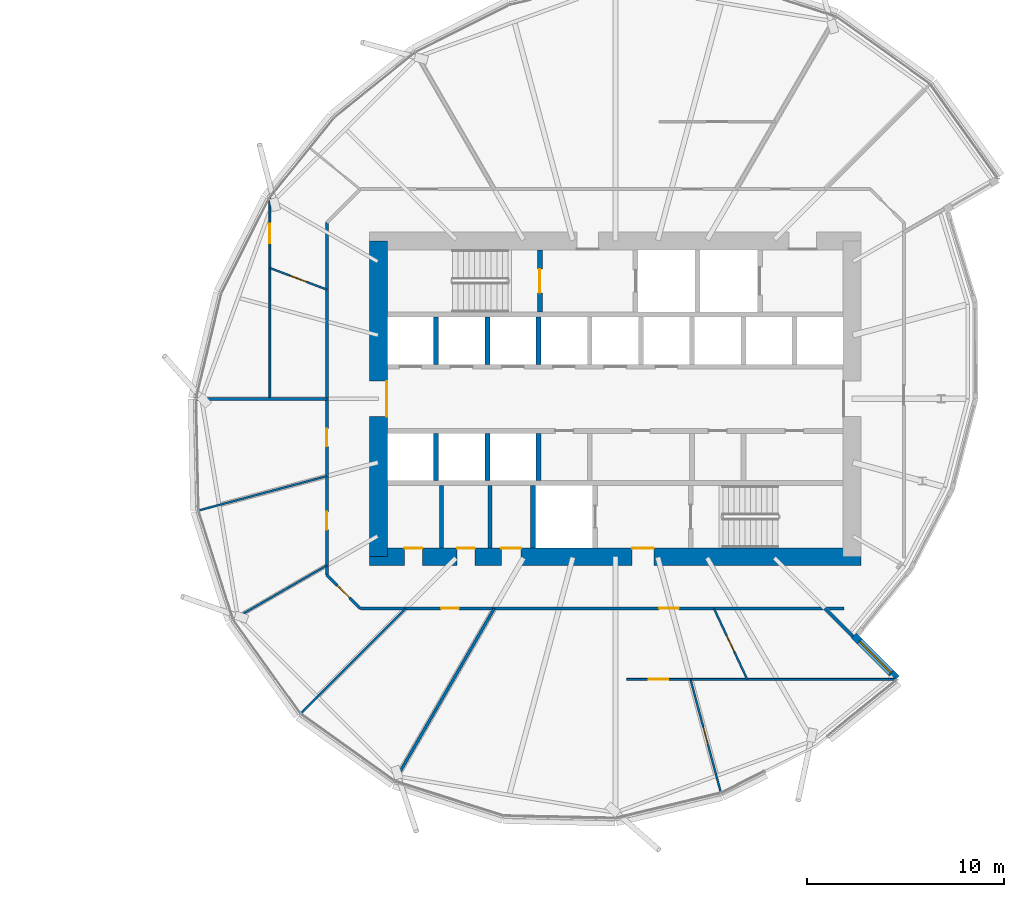
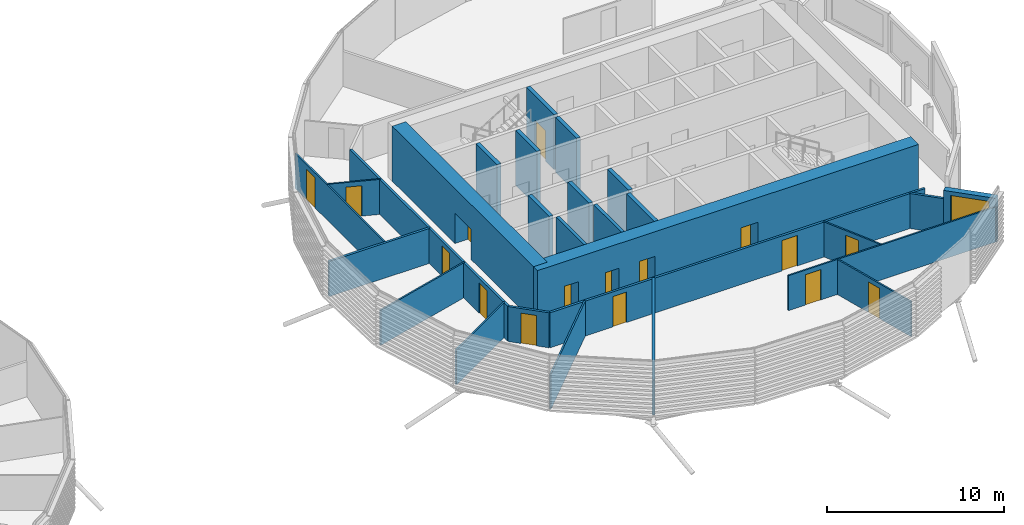
# One storey, part 23 of 38: 28 walls, 16 doors, 1 window, 17 openings.
"""IFC4 building model written with IfcOpenShell, lengths in metres."""

from ifc_helpers import new_model, si_unit, direction, frame, frame_2d, origin, place, context, subcontext, project, spatial, rectangle, extrude, material, layer, layer_set, type_object, element, fill, save


model = new_model("IFC4")

# Units and contexts
model_context = context("Model", 3, precision=1e-05, world=origin(), true_north=direction((0.0, 1.0)))
body_context = subcontext(model_context, "Body", "Model", "MODEL_VIEW")
ifc_project = project(units=[si_unit("LENGTHUNIT", "METRE"), si_unit("AREAUNIT", "SQUARE_METRE"), si_unit("VOLUMEUNIT", "CUBIC_METRE"), si_unit("PLANEANGLEUNIT", "RADIAN"), si_unit("MASSUNIT", "GRAM", prefix="KILO")], contexts=[model_context])

# Site, building, storey
site_placement = place(None, origin())
site = spatial("IfcSite", under=ifc_project, at=site_placement, CompositionType="ELEMENT")
building_placement = place(site_placement, origin())
building = spatial("IfcBuilding", under=site, at=building_placement, Name="Rimbun Link Towers", CompositionType="ELEMENT")
storey_placement = place(building_placement, frame((0.0, 0.0, 49.0)))
storey = spatial("IfcBuildingStorey", under=building, at=storey_placement, Name="L11", CompositionType="ELEMENT", Elevation=49.0)

# Wall, opening, window
ifc_material_1 = material(Name="Dark enamelled glass spandrel on insulated aluminium backpan", Category="aluminium")
ifc_layer_1 = layer(ifc_material_1, 0.3701171875)
ifc_layer_set_1 = layer_set([ifc_layer_1], Name="CS dark enamelled spandrel wall 370")
wall_type_1 = type_object("IfcWallType", Name="CS dark enamelled spandrel wall 370", PredefinedType="STANDARD", material=ifc_layer_set_1)
wall_1_placement = place(storey_placement, frame((43.83544921875, -11.99365234375, 0.0), z_axis=(0.0, 0.0, 1.0), x_axis=(0.707106781187, -0.707106781187, 0.0)))
wall_1 = element("IfcWall", 1, at=wall_1_placement, inside=storey, type_object=wall_type_1, Name="Crease spandrel wall", PredefinedType="STANDARD", context=body_context, shape_type="SweptSolid", body=[
    extrude(rectangle(XDim=3.080078125, YDim=0.3701171875, at=frame_2d((1.5400390625, 0.0))), origin(), (0.0, 0.0, 1.0), 3.02734375),
])
opening_1_placement = place(wall_1_placement, frame((0.4150390625, 0.0, 0.300048828125)))
opening_1 = element("IfcOpeningElement", 2, at=opening_1_placement, cuts=wall_1, Name="Opening WR22H245", PredefinedType="OPENING", context=body_context, shape_type="SweptSolid", body=[
    extrude(rectangle(XDim=2.25, YDim=2.449951171875, at=frame_2d((1.125, 1.22509765625))), frame((0.0, 0.195068359375, 0.0), z_axis=(0.0, -1.0, 0.0), x_axis=(1.0, 0.0, 0.0)), (0.0, 0.0, 1.0), 0.39013671875),
])
ifc_material_2 = material(Name="Aluminium framed fixed window, dark tinted low-e glass", Category="aluminium")
window_type = type_object("IfcWindowType", Name="WR ribbon window 2250X2450", PartitioningType="SINGLE_PANEL", PredefinedType="WINDOW", material=ifc_material_2)
window_placement = place(opening_1_placement, origin())
window = element("IfcWindow", 3, at=window_placement, inside=storey, type_object=window_type, Name="Crease ribbon window", OverallHeight=2.449951171875, OverallWidth=2.25, PartitioningType="SINGLE_PANEL", PredefinedType="WINDOW", context=body_context, shape_type="SweptSolid", body=[
    extrude(rectangle(XDim=2.25, YDim=2.449951171875, at=frame_2d((1.125, 1.22509765625))), frame((0.0, 0.030029296875, 0.0), z_axis=(0.0, -1.0, 0.0), x_axis=(1.0, 0.0, 0.0)), (0.0, 0.0, 1.0), 0.06005859375),
])
fill(opening_1, window)

# Walls
ifc_material_3 = material(Name="Masonry blockwork", Category="masonry")
ifc_layer_2 = layer(ifc_material_3, 0.199951171875)
ifc_layer_set_2 = layer_set([ifc_layer_2], Name="Core partition 200")
wall_type_2 = type_object("IfcWallType", Name="Core partition 200", PredefinedType="PARTITIONING", material=ifc_layer_set_2)
for number, where, z_axis, x_axis, name in (
    (4, (22.949951171875, -4.39990234375, 0.0), (0.0, 0.0, 1.0), (0.0, -1.0, 0.0), "L11 T2 core wall C1"),
    (5, (25.39990234375, -4.39990234375, 0.0), (0.0, 0.0, 1.0), (0.0, -1.0, 0.0), "L11 T2 core wall C2"),
):
    element("IfcWall", number, at=place(storey_placement, frame(where, z_axis=z_axis, x_axis=x_axis)), inside=storey, type_object=wall_type_2, Name=name, PredefinedType="PARTITIONING", context=body_context, shape_type="SweptSolid", body=[
        extrude(rectangle(XDim=3.150146484375, YDim=0.199951171875, at=frame_2d((1.5751953125, 0.0))), origin(), (0.0, 0.0, 1.0), 3.800048828125),
    ])

# Wall, openings, doors
ifc_material_4 = material(Name="Concrete C60/75", Category="concrete")
ifc_layer_3 = layer(ifc_material_4, 0.89990234375)
ifc_layer_set_3 = layer_set([ifc_layer_3], Name="Core shear wall 900")
wall_type_3 = type_object("IfcWallType", Name="Core shear wall 900", PredefinedType="SHEAR", material=ifc_layer_set_3)
wall_2_placement = place(storey_placement, frame((19.300048828125, -8.0, 0.0), z_axis=(0.0, 0.0, 1.0), x_axis=(1.0, 0.0, 0.0)))
wall_2 = element("IfcWall", 6, at=wall_2_placement, inside=storey, type_object=wall_type_3, Name="L11 T2 core wall S", PredefinedType="SHEAR", context=body_context, shape_type="SweptSolid", body=[
    extrude(rectangle(XDim=24.89990234375, YDim=0.89990234375, at=frame_2d((12.449951171875, 0.0))), origin(), (0.0, 0.0, 1.0), 3.800048828125),
])
opening_2_placement = place(wall_2_placement, frame((13.300048828125, 0.0, 0.0)))
opening_2 = element("IfcOpeningElement", 7, at=opening_2_placement, cuts=wall_2, Name="Opening C2DCF01S", PredefinedType="OPENING", context=body_context, shape_type="SweptSolid", body=[
    extrude(rectangle(XDim=1.10009765625, YDim=2.10009765625, at=frame_2d((0.550048828125, 1.050048828125))), frame((0.0, 0.4599609375, 0.0), z_axis=(0.0, -1.0, 0.0), x_axis=(1.0, 0.0, 0.0)), (0.0, 0.0, 1.0), 0.919921875),
])
opening_3_placement = place(wall_2_placement, frame((1.77490234375, 0.0, 0.0)))
opening_3 = element("IfcOpeningElement", 8, at=opening_3_placement, cuts=wall_2, Name="Opening C2DWC02S", PredefinedType="OPENING", context=body_context, shape_type="SweptSolid", body=[
    extrude(rectangle(XDim=0.89990234375, YDim=2.10009765625, at=frame_2d((0.449951171875, 1.050048828125))), frame((0.0, 0.4599609375, 0.0), z_axis=(0.0, -1.0, 0.0), x_axis=(1.0, 0.0, 0.0)), (0.0, 0.0, 1.0), 0.919921875),
])
opening_4_placement = place(wall_2_placement, frame((4.425048828125, 0.0, 0.0)))
opening_4 = element("IfcOpeningElement", 9, at=opening_4_placement, cuts=wall_2, Name="Opening C2DWC03S", PredefinedType="OPENING", context=body_context, shape_type="SweptSolid", body=[
    extrude(rectangle(XDim=0.89990234375, YDim=2.10009765625, at=frame_2d((0.449951171875, 1.050048828125))), frame((0.0, 0.4599609375, 0.0), z_axis=(0.0, -1.0, 0.0), x_axis=(1.0, 0.0, 0.0)), (0.0, 0.0, 1.0), 0.919921875),
])
opening_5_placement = place(wall_2_placement, frame((6.675048828125, 0.0, 0.0)))
opening_5 = element("IfcOpeningElement", 10, at=opening_5_placement, cuts=wall_2, Name="Opening C2DAW04S", PredefinedType="OPENING", context=body_context, shape_type="SweptSolid", body=[
    extrude(rectangle(XDim=1.0, YDim=2.10009765625, at=frame_2d((0.5, 1.050048828125))), frame((0.0, 0.4599609375, 0.0), z_axis=(0.0, -1.0, 0.0), x_axis=(1.0, 0.0, 0.0)), (0.0, 0.0, 1.0), 0.919921875),
])
ifc_material_5 = material(Name="Timber", Category="wood")
door_type_1 = type_object("IfcDoorType", Name="Accessible WC door", OperationType="SINGLE_SWING_LEFT", PredefinedType="DOOR", material=ifc_material_5)
door_1_placement = place(opening_5_placement, origin())
door_1 = element("IfcDoor", 11, at=door_1_placement, inside=storey, type_object=door_type_1, Name="L11 T2 accessible wc door", OperationType="SINGLE_SWING_LEFT", OverallHeight=2.10009765625, OverallWidth=1.0, PredefinedType="DOOR", context=body_context, shape_type="SweptSolid", body=[
    extrude(rectangle(XDim=1.0, YDim=2.10009765625, at=frame_2d((0.5, 1.050048828125))), frame((0.0, 0.4501953125, 0.0), z_axis=(0.0, -1.0, 0.0), x_axis=(1.0, 0.0, 0.0)), (0.0, 0.0, 1.0), 0.050048828125),
])
fill(opening_5, door_1)
ifc_material_6 = material(Name="Steel fire door set", Category="steel")
door_type_2 = type_object("IfcDoorType", Name="Core fire door single", OperationType="SINGLE_SWING_LEFT", PredefinedType="DOOR", material=ifc_material_6)
door_2_placement = place(opening_2_placement, origin())
door_2 = element("IfcDoor", 12, at=door_2_placement, inside=storey, type_object=door_type_2, Name="L11 T2 firefighting lobby s door", OperationType="SINGLE_SWING_RIGHT", OverallHeight=2.10009765625, OverallWidth=1.10009765625, PredefinedType="DOOR", context=body_context, shape_type="SweptSolid", body=[
    extrude(rectangle(XDim=1.10009765625, YDim=2.10009765625, at=frame_2d((0.550048828125, 1.050048828125))), frame((0.0, 0.4501953125, 0.0), z_axis=(0.0, -1.0, 0.0), x_axis=(1.0, 0.0, 0.0)), (0.0, 0.0, 1.0), 0.050048828125),
])
fill(opening_2, door_2)
ifc_material_7 = material(Name="Timber", Category="wood")
door_type_3 = type_object("IfcDoorType", Name="WC door", OperationType="SINGLE_SWING_LEFT", PredefinedType="DOOR", material=ifc_material_7)
door_3_placement = place(opening_3_placement, origin())
door_3 = element("IfcDoor", 13, at=door_3_placement, inside=storey, type_object=door_type_3, Name="L11 T2 male wc door", OperationType="SINGLE_SWING_RIGHT", OverallHeight=2.10009765625, OverallWidth=0.89990234375, PredefinedType="DOOR", context=body_context, shape_type="SweptSolid", body=[
    extrude(rectangle(XDim=0.89990234375, YDim=2.10009765625, at=frame_2d((0.449951171875, 1.050048828125))), frame((0.0, 0.4501953125, 0.0), z_axis=(0.0, -1.0, 0.0), x_axis=(1.0, 0.0, 0.0)), (0.0, 0.0, 1.0), 0.050048828125),
])
fill(opening_3, door_3)
door_4_placement = place(opening_4_placement, origin())
door_4 = element("IfcDoor", 14, at=door_4_placement, inside=storey, type_object=door_type_3, Name="L11 T2 female wc door", OperationType="SINGLE_SWING_RIGHT", OverallHeight=2.10009765625, OverallWidth=0.89990234375, PredefinedType="DOOR", context=body_context, shape_type="SweptSolid", body=[
    extrude(rectangle(XDim=0.89990234375, YDim=2.10009765625, at=frame_2d((0.449951171875, 1.050048828125))), frame((0.0, 0.4501953125, 0.0), z_axis=(0.0, -1.0, 0.0), x_axis=(1.0, 0.0, 0.0)), (0.0, 0.0, 1.0), 0.050048828125),
])
fill(opening_4, door_4)

# Wall, opening, door
wall_3_placement = place(storey_placement, frame((19.75, -8.0, 0.0), z_axis=(0.0, 0.0, 1.0), x_axis=(0.0, 1.0, 0.0)))
wall_3 = element("IfcWall", 15, at=wall_3_placement, inside=storey, type_object=wall_type_3, Name="L11 T2 core wall W", PredefinedType="SHEAR", context=body_context, shape_type="SweptSolid", body=[
    extrude(rectangle(XDim=16.0, YDim=0.89990234375, at=frame_2d((8.0, 0.0))), origin(), (0.0, 0.0, 1.0), 3.800048828125),
])
opening_6_placement = place(wall_3_placement, frame((7.10009765625, 0.0, 0.0)))
opening_6 = element("IfcOpeningElement", 16, at=opening_6_placement, cuts=wall_3, Name="Opening C2DCL01W", PredefinedType="OPENING", context=body_context, shape_type="SweptSolid", body=[
    extrude(rectangle(XDim=1.800048828125, YDim=2.10009765625, at=frame_2d((0.89990234375, 1.050048828125))), frame((0.0, 0.4599609375, 0.0), z_axis=(0.0, -1.0, 0.0), x_axis=(1.0, 0.0, 0.0)), (0.0, 0.0, 1.0), 0.919921875),
])
ifc_material_8 = material(Name="Steel fire door set", Category="steel")
door_type_4 = type_object("IfcDoorType", Name="Core lobby door double", OperationType="DOUBLE_DOOR_SINGLE_SWING", PredefinedType="DOOR", material=ifc_material_8)
door_5_placement = place(opening_6_placement, origin())
door_5 = element("IfcDoor", 17, at=door_5_placement, inside=storey, type_object=door_type_4, Name="L11 T2 lift lobby door", OperationType="DOUBLE_DOOR_SINGLE_SWING", OverallHeight=2.10009765625, OverallWidth=1.800048828125, PredefinedType="DOOR", context=body_context, shape_type="SweptSolid", body=[
    extrude(rectangle(XDim=1.800048828125, YDim=2.10009765625, at=frame_2d((0.89990234375, 1.050048828125))), frame((0.0, -0.39990234375, 0.0), z_axis=(0.0, -1.0, 0.0), x_axis=(1.0, 0.0, 0.0)), (0.0, 0.0, 1.0), 0.050048828125),
])
fill(opening_6, door_5)

# Wall, openings, doors
ifc_material_9 = material(Name="Plasterboard on steel stud, mineral wool", Category="steel")
ifc_layer_4 = layer(ifc_material_9, 0.14990234375)
ifc_layer_set_4 = layer_set([ifc_layer_4], Name="Corridor wall EI 30 150 mm")
wall_type_4 = type_object("IfcWallType", Name="Corridor wall EI 30 150 mm", PredefinedType="PARTITIONING", material=ifc_layer_set_4)
wall_4_placement = place(storey_placement, frame((43.330322265625, -10.625, 0.0), z_axis=(0.0, 0.0, 1.0), x_axis=(-1.0, 0.0, 0.0)))
wall_4 = element("IfcWall", 18, at=wall_4_placement, inside=storey, type_object=wall_type_4, Name="Corridor wall EI 30 150 mm", PredefinedType="PARTITIONING", context=body_context, shape_type="SweptSolid", body=[
    extrude(rectangle(XDim=24.507080078125, YDim=0.14990234375, at=frame_2d((12.25341796875, 0.0))), origin(), (0.0, 0.0, 1.0), 2.419921875),
])
opening_7_placement = place(wall_4_placement, frame((19.510009765625, 0.0, 0.0)))
opening_7 = element("IfcOpeningElement", 19, at=opening_7_placement, cuts=wall_4, Name="Opening D02", PredefinedType="OPENING", context=body_context, shape_type="SweptSolid", body=[
    extrude(rectangle(XDim=0.89990234375, YDim=2.10009765625, at=frame_2d((0.449951171875, 1.050048828125))), frame((0.0, 0.0849609375, 0.0), z_axis=(0.0, -1.0, 0.0), x_axis=(1.0, 0.0, 0.0)), (0.0, 0.0, 1.0), 0.169921875),
])
opening_8_placement = place(wall_4_placement, frame((8.35595703125, 0.0, 0.0)))
opening_8 = element("IfcOpeningElement", 20, at=opening_8_placement, cuts=wall_4, Name="Opening D01", PredefinedType="OPENING", context=body_context, shape_type="SweptSolid", body=[
    extrude(rectangle(XDim=1.0, YDim=2.10009765625, at=frame_2d((0.5, 1.050048828125))), frame((0.0, 0.0849609375, 0.0), z_axis=(0.0, -1.0, 0.0), x_axis=(1.0, 0.0, 0.0)), (0.0, 0.0, 1.0), 0.169921875),
])
ifc_material_10 = material(Name="Fire-resisting timber door leaf", Category="wood")
door_type_5 = type_object("IfcDoorType", Name="Fire door FD30S 1000", OperationType="NOTDEFINED", PredefinedType="DOOR", material=ifc_material_10)
door_6_placement = place(opening_8_placement, origin())
door_6 = element("IfcDoor", 21, at=door_6_placement, inside=storey, type_object=door_type_5, Name="Fire door FD30S 1000 to Reception", OperationType="SINGLE_SWING_LEFT", OverallHeight=2.10009765625, OverallWidth=1.0, PredefinedType="DOOR", context=body_context, shape_type="SweptSolid", body=[
    extrude(rectangle(XDim=1.0, YDim=2.10009765625, at=frame_2d((0.5, 1.050048828125))), frame((0.0, 0.02490234375, 0.0), z_axis=(0.0, -1.0, 0.0), x_axis=(1.0, 0.0, 0.0)), (0.0, 0.0, 1.0), 0.050048828125),
])
fill(opening_8, door_6)
ifc_material_11 = material(Name="Fire-resisting timber door leaf", Category="wood")
door_type_6 = type_object("IfcDoorType", Name="Fire door FD30S 900", OperationType="NOTDEFINED", PredefinedType="DOOR", material=ifc_material_11)
door_7_placement = place(opening_7_placement, origin())
door_7 = element("IfcDoor", 22, at=door_7_placement, inside=storey, type_object=door_type_6, Name="Fire door FD30S 900 to Meeting room", OperationType="SINGLE_SWING_RIGHT", OverallHeight=2.10009765625, OverallWidth=0.89990234375, PredefinedType="DOOR", context=body_context, shape_type="SweptSolid", body=[
    extrude(rectangle(XDim=0.89990234375, YDim=2.10009765625, at=frame_2d((0.449951171875, 1.050048828125))), frame((0.0, 0.02490234375, 0.0), z_axis=(0.0, -1.0, 0.0), x_axis=(1.0, 0.0, 0.0)), (0.0, 0.0, 1.0), 0.050048828125),
])
fill(opening_7, door_7)

# Wall, opening, door
wall_5_placement = place(storey_placement, frame((18.8232421875, -10.625, 0.0), z_axis=(0.0, 0.0, 1.0), x_axis=(-0.707106781187, 0.707106781187, 0.0)))
wall_5 = element("IfcWall", 23, at=wall_5_placement, inside=storey, type_object=wall_type_4, Name="Corridor wall EI 30 150 mm", PredefinedType="PARTITIONING", context=body_context, shape_type="SweptSolid", body=[
    extrude(rectangle(XDim=2.401611328125, YDim=0.14990234375, at=frame_2d((1.20068359375, 0.0))), origin(), (0.0, 0.0, 1.0), 2.419921875),
])
opening_9_placement = place(wall_5_placement, frame((0.7509765625, 0.0, 0.0)))
opening_9 = element("IfcOpeningElement", 24, at=opening_9_placement, cuts=wall_5, Name="Opening D02", PredefinedType="OPENING", context=body_context, shape_type="SweptSolid", body=[
    extrude(rectangle(XDim=0.89990234375, YDim=2.10009765625, at=frame_2d((0.449951171875, 1.050048828125))), frame((0.0, 0.0849609375, 0.0), z_axis=(0.0, -1.0, 0.0), x_axis=(1.0, 0.0, 0.0)), (0.0, 0.0, 1.0), 0.169921875),
])
door_8_placement = place(opening_9_placement, origin())
door_8 = element("IfcDoor", 25, at=door_8_placement, inside=storey, type_object=door_type_6, Name="Fire door FD30S 900 to Cellular office", OperationType="SINGLE_SWING_LEFT", OverallHeight=2.10009765625, OverallWidth=0.89990234375, PredefinedType="DOOR", context=body_context, shape_type="SweptSolid", body=[
    extrude(rectangle(XDim=0.89990234375, YDim=2.10009765625, at=frame_2d((0.449951171875, 1.050048828125))), frame((0.0, 0.02490234375, 0.0), z_axis=(0.0, -1.0, 0.0), x_axis=(1.0, 0.0, 0.0)), (0.0, 0.0, 1.0), 0.050048828125),
])
fill(opening_9, door_8)

# Wall, openings, doors
wall_6_placement = place(storey_placement, frame((17.125, -8.9267578125, 0.0), z_axis=(0.0, 0.0, 1.0), x_axis=(0.0, 1.0, 0.0)))
wall_6 = element("IfcWall", 26, at=wall_6_placement, inside=storey, type_object=wall_type_4, Name="Corridor wall EI 30 150 mm", PredefinedType="PARTITIONING", context=body_context, shape_type="SweptSolid", body=[
    extrude(rectangle(XDim=17.853515625, YDim=0.14990234375, at=frame_2d((8.9267578125, 0.0))), origin(), (0.0, 0.0, 1.0), 2.419921875),
])
opening_10_placement = place(wall_6_placement, frame((6.517333984375, 0.0, 0.0)))
opening_10 = element("IfcOpeningElement", 27, at=opening_10_placement, cuts=wall_6, Name="Opening D02", PredefinedType="OPENING", context=body_context, shape_type="SweptSolid", body=[
    extrude(rectangle(XDim=0.89990234375, YDim=2.10009765625, at=frame_2d((0.449951171875, 1.050048828125))), frame((0.0, 0.0849609375, 0.0), z_axis=(0.0, -1.0, 0.0), x_axis=(1.0, 0.0, 0.0)), (0.0, 0.0, 1.0), 0.169921875),
])
opening_11_placement = place(wall_6_placement, frame((2.29541015625, 0.0, 0.0)))
opening_11 = element("IfcOpeningElement", 28, at=opening_11_placement, cuts=wall_6, Name="Opening D02", PredefinedType="OPENING", context=body_context, shape_type="SweptSolid", body=[
    extrude(rectangle(XDim=0.89990234375, YDim=2.10009765625, at=frame_2d((0.449951171875, 1.050048828125))), frame((0.0, 0.0849609375, 0.0), z_axis=(0.0, -1.0, 0.0), x_axis=(1.0, 0.0, 0.0)), (0.0, 0.0, 1.0), 0.169921875),
])
door_9_placement = place(opening_10_placement, origin())
door_9 = element("IfcDoor", 29, at=door_9_placement, inside=storey, type_object=door_type_6, Name="Fire door FD30S 900 to Cellular office", OperationType="SINGLE_SWING_LEFT", OverallHeight=2.10009765625, OverallWidth=0.89990234375, PredefinedType="DOOR", context=body_context, shape_type="SweptSolid", body=[
    extrude(rectangle(XDim=0.89990234375, YDim=2.10009765625, at=frame_2d((0.449951171875, 1.050048828125))), frame((0.0, 0.02490234375, 0.0), z_axis=(0.0, -1.0, 0.0), x_axis=(1.0, 0.0, 0.0)), (0.0, 0.0, 1.0), 0.050048828125),
])
fill(opening_10, door_9)
door_10_placement = place(opening_11_placement, origin())
door_10 = element("IfcDoor", 30, at=door_10_placement, inside=storey, type_object=door_type_6, Name="Fire door FD30S 900 to Cellular office", OperationType="SINGLE_SWING_RIGHT", OverallHeight=2.10009765625, OverallWidth=0.89990234375, PredefinedType="DOOR", context=body_context, shape_type="SweptSolid", body=[
    extrude(rectangle(XDim=0.89990234375, YDim=2.10009765625, at=frame_2d((0.449951171875, 1.050048828125))), frame((0.0, 0.02490234375, 0.0), z_axis=(0.0, -1.0, 0.0), x_axis=(1.0, 0.0, 0.0)), (0.0, 0.0, 1.0), 0.050048828125),
])
fill(opening_11, door_10)

# Wall, opening, door
ifc_material_12 = material(Name="Plasterboard on steel stud", Category="steel")
ifc_layer_5 = layer(ifc_material_12, 0.10009765625)
ifc_layer_set_5 = layer_set([ifc_layer_5], Name="Plasterboard partition 100 mm")
wall_type_5 = type_object("IfcWallType", Name="Plasterboard partition 100 mm", PredefinedType="PARTITIONING", material=ifc_layer_set_5)
wall_7_placement = place(storey_placement, frame((17.125, 5.537841796875, 0.0), z_axis=(0.0, 0.0, 1.0), x_axis=(-0.935190478961, 0.354145122882, 0.0)))
wall_7 = element("IfcWall", 31, at=wall_7_placement, inside=storey, type_object=wall_type_5, Name="Plasterboard partition 100 mm", PredefinedType="PARTITIONING", context=body_context, shape_type="SweptSolid", body=[
    extrude(rectangle(XDim=3.079345703125, YDim=0.10009765625, at=frame_2d((1.53955078125, 0.0))), origin(), (0.0, 0.0, 1.0), 2.419921875),
])
opening_12_placement = place(wall_7_placement, frame((1.08984375, 0.0, 0.0)))
opening_12 = element("IfcOpeningElement", 32, at=opening_12_placement, cuts=wall_7, Name="Opening D04", PredefinedType="OPENING", context=body_context, shape_type="SweptSolid", body=[
    extrude(rectangle(XDim=0.89990234375, YDim=2.10009765625, at=frame_2d((0.449951171875, 1.050048828125))), frame((0.0, 0.06005859375, 0.0), z_axis=(0.0, -1.0, 0.0), x_axis=(1.0, 0.0, 0.0)), (0.0, 0.0, 1.0), 0.1201171875),
])
ifc_material_13 = material(Name="Timber door leaf", Category="wood")
door_type_7 = type_object("IfcDoorType", Name="Flush door 900", OperationType="NOTDEFINED", PredefinedType="DOOR", material=ifc_material_13)
door_11_placement = place(opening_12_placement, origin())
door_11 = element("IfcDoor", 33, at=door_11_placement, inside=storey, type_object=door_type_7, Name="Flush door 900 to Strong room", OperationType="SINGLE_SWING_RIGHT", OverallHeight=2.10009765625, OverallWidth=0.89990234375, PredefinedType="DOOR", context=body_context, shape_type="SweptSolid", body=[
    extrude(rectangle(XDim=0.89990234375, YDim=2.10009765625, at=frame_2d((0.449951171875, 1.050048828125))), frame((0.0, 0.02490234375, 0.0), z_axis=(0.0, -1.0, 0.0), x_axis=(1.0, 0.0, 0.0)), (0.0, 0.0, 1.0), 0.050048828125),
])
fill(opening_12, door_11)

wall_8_placement = place(storey_placement, frame((14.2451171875, 0.0, 0.0), z_axis=(0.0, 0.0, 1.0), x_axis=(0.0, 1.0, 0.0)))
wall_8 = element("IfcWall", 34, at=wall_8_placement, inside=storey, type_object=wall_type_5, Name="Plasterboard partition 100 mm", PredefinedType="PARTITIONING", context=body_context, shape_type="SweptSolid", body=[
    extrude(rectangle(XDim=10.162109375, YDim=0.10009765625, at=frame_2d((5.0810546875, 0.0))), origin(), (0.0, 0.0, 1.0), 2.419921875),
])
opening_13_placement = place(wall_8_placement, frame((7.879150390625, 0.0, 0.0)))
opening_13 = element("IfcOpeningElement", 35, at=opening_13_placement, cuts=wall_8, Name="Opening D03", PredefinedType="OPENING", context=body_context, shape_type="SweptSolid", body=[
    extrude(rectangle(XDim=1.0, YDim=2.10009765625, at=frame_2d((0.5, 1.050048828125))), frame((0.0, 0.06005859375, 0.0), z_axis=(0.0, -1.0, 0.0), x_axis=(1.0, 0.0, 0.0)), (0.0, 0.0, 1.0), 0.1201171875),
])
ifc_material_14 = material(Name="Timber door leaf", Category="wood")
door_type_8 = type_object("IfcDoorType", Name="Flush door 1000", OperationType="NOTDEFINED", PredefinedType="DOOR", material=ifc_material_14)
door_12_placement = place(opening_13_placement, origin())
door_12 = element("IfcDoor", 36, at=door_12_placement, inside=storey, type_object=door_type_8, Name="Flush door 1000 to Banking hall", OperationType="SINGLE_SWING_LEFT", OverallHeight=2.10009765625, OverallWidth=1.0, PredefinedType="DOOR", context=body_context, shape_type="SweptSolid", body=[
    extrude(rectangle(XDim=1.0, YDim=2.10009765625, at=frame_2d((0.5, 1.050048828125))), frame((0.0, 0.02490234375, 0.0), z_axis=(0.0, -1.0, 0.0), x_axis=(1.0, 0.0, 0.0)), (0.0, 0.0, 1.0), 0.050048828125),
])
fill(opening_13, door_12)

# Walls
wall_9_placement = place(storey_placement, frame((10.63720703125, -5.656982421875, 0.0), z_axis=(0.0, 0.0, 1.0), x_axis=(0.965930204712, 0.258802704055, 0.0)))
element("IfcWall", 37, at=wall_9_placement, inside=storey, type_object=wall_type_5, Name="Plasterboard partition 100 mm", PredefinedType="PARTITIONING", context=body_context, shape_type="SweptSolid", body=[
    extrude(rectangle(XDim=6.716552734375, YDim=0.10009765625, at=frame_2d((3.3583984375, 0.0))), origin(), (0.0, 0.0, 1.0), 2.419921875),
])
wall_10_placement = place(storey_placement, frame((12.392578125, -11.176025390625, 0.0), z_axis=(0.0, 0.0, 1.0), x_axis=(0.866032322181, 0.499988016794, 0.0)))
element("IfcWall", 38, at=wall_10_placement, inside=storey, type_object=wall_type_5, Name="Plasterboard partition 100 mm", PredefinedType="PARTITIONING", context=body_context, shape_type="SweptSolid", body=[
    extrude(rectangle(XDim=5.464599609375, YDim=0.10009765625, at=frame_2d((2.732421875, 0.0))), origin(), (0.0, 0.0, 1.0), 2.419921875),
])
wall_11_placement = place(storey_placement, frame((15.810546875, -15.939453125, 0.0), z_axis=(0.0, 0.0, 1.0), x_axis=(0.707106781187, 0.707106781187, 0.0)))
element("IfcWall", 39, at=wall_11_placement, inside=storey, type_object=wall_type_5, Name="Plasterboard partition 100 mm", PredefinedType="PARTITIONING", context=body_context, shape_type="SweptSolid", body=[
    extrude(rectangle(XDim=7.515869140625, YDim=0.10009765625, at=frame_2d((3.7578125, 0.0))), origin(), (0.0, 0.0, 1.0), 2.419921875),
])

# Wall, opening, door
wall_12_placement = place(storey_placement, frame((36.746826171875, -10.625, 0.0), z_axis=(0.0, 0.0, 1.0), x_axis=(0.425581283006, -0.904920201761, 0.0)))
wall_12 = element("IfcWall", 40, at=wall_12_placement, inside=storey, type_object=wall_type_5, Name="Plasterboard partition 100 mm", PredefinedType="PARTITIONING", context=body_context, shape_type="SweptSolid", body=[
    extrude(rectangle(XDim=3.978271484375, YDim=0.10009765625, at=frame_2d((1.9892578125, 0.0))), origin(), (0.0, 0.0, 1.0), 2.419921875),
])
opening_14_placement = place(wall_12_placement, frame((1.5390625, 0.0, 0.0)))
opening_14 = element("IfcOpeningElement", 41, at=opening_14_placement, cuts=wall_12, Name="Opening D04", PredefinedType="OPENING", context=body_context, shape_type="SweptSolid", body=[
    extrude(rectangle(XDim=0.89990234375, YDim=2.10009765625, at=frame_2d((0.449951171875, 1.050048828125))), frame((0.0, 0.06005859375, 0.0), z_axis=(0.0, -1.0, 0.0), x_axis=(1.0, 0.0, 0.0)), (0.0, 0.0, 1.0), 0.1201171875),
])
door_13_placement = place(opening_14_placement, origin())
door_13 = element("IfcDoor", 42, at=door_13_placement, inside=storey, type_object=door_type_7, Name="Flush door 900 to Meeting room", OperationType="SINGLE_SWING_LEFT", OverallHeight=2.10009765625, OverallWidth=0.89990234375, PredefinedType="DOOR", context=body_context, shape_type="SweptSolid", body=[
    extrude(rectangle(XDim=0.89990234375, YDim=2.10009765625, at=frame_2d((0.449951171875, 1.050048828125))), frame((0.0, 0.02490234375, 0.0), z_axis=(0.0, -1.0, 0.0), x_axis=(1.0, 0.0, 0.0)), (0.0, 0.0, 1.0), 0.050048828125),
])
fill(opening_14, door_13)

wall_13_placement = place(storey_placement, frame((35.5615234375, -14.22509765625, 0.0), z_axis=(0.0, 0.0, 1.0), x_axis=(-1.0, 0.0, 0.0)))
wall_13 = element("IfcWall", 43, at=wall_13_placement, inside=storey, type_object=wall_type_5, Name="Plasterboard partition 100 mm", PredefinedType="PARTITIONING", context=body_context, shape_type="SweptSolid", body=[
    extrude(rectangle(XDim=3.236083984375, YDim=0.10009765625, at=frame_2d((1.6181640625, 0.0))), origin(), (0.0, 0.0, 1.0), 2.419921875),
])
opening_15_placement = place(wall_13_placement, frame((1.117919921875, 0.0, 0.0)))
opening_15 = element("IfcOpeningElement", 44, at=opening_15_placement, cuts=wall_13, Name="Opening D03", PredefinedType="OPENING", context=body_context, shape_type="SweptSolid", body=[
    extrude(rectangle(XDim=1.0, YDim=2.10009765625, at=frame_2d((0.5, 1.050048828125))), frame((0.0, 0.06005859375, 0.0), z_axis=(0.0, -1.0, 0.0), x_axis=(1.0, 0.0, 0.0)), (0.0, 0.0, 1.0), 0.1201171875),
])
door_14_placement = place(opening_15_placement, origin())
door_14 = element("IfcDoor", 45, at=door_14_placement, inside=storey, type_object=door_type_8, Name="Flush door 1000 to Co-working space", OperationType="SINGLE_SWING_RIGHT", OverallHeight=2.10009765625, OverallWidth=1.0, PredefinedType="DOOR", context=body_context, shape_type="SweptSolid", body=[
    extrude(rectangle(XDim=1.0, YDim=2.10009765625, at=frame_2d((0.5, 1.050048828125))), frame((0.0, 0.02490234375, 0.0), z_axis=(0.0, -1.0, 0.0), x_axis=(1.0, 0.0, 0.0)), (0.0, 0.0, 1.0), 0.050048828125),
])
fill(opening_15, door_14)

# Wall
wall_14_placement = place(storey_placement, frame((35.5615234375, -14.22509765625, 0.0), z_axis=(0.0, 0.0, 1.0), x_axis=(1.0, 0.0, 0.0)))
element("IfcWall", 46, at=wall_14_placement, inside=storey, type_object=wall_type_5, Name="Plasterboard partition 100 mm", PredefinedType="PARTITIONING", context=body_context, shape_type="SweptSolid", body=[
    extrude(rectangle(XDim=10.41357421875, YDim=0.10009765625, at=frame_2d((5.206787109375, 0.0))), origin(), (0.0, 0.0, 1.0), 2.419921875),
])

# Wall, opening, door
wall_15_placement = place(storey_placement, frame((35.5615234375, -14.22509765625, 0.0), z_axis=(0.0, 0.0, 1.0), x_axis=(0.25883348972, -0.96592195575, 0.0)))
wall_15 = element("IfcWall", 47, at=wall_15_placement, inside=storey, type_object=wall_type_5, Name="Plasterboard partition 100 mm", PredefinedType="PARTITIONING", context=body_context, shape_type="SweptSolid", body=[
    extrude(rectangle(XDim=5.93017578125, YDim=0.10009765625, at=frame_2d((2.965087890625, 0.0))), origin(), (0.0, 0.0, 1.0), 2.419921875),
])
opening_16_placement = place(wall_15_placement, frame((2.51513671875, 0.0, 0.0)))
opening_16 = element("IfcOpeningElement", 48, at=opening_16_placement, cuts=wall_15, Name="Opening D04", PredefinedType="OPENING", context=body_context, shape_type="SweptSolid", body=[
    extrude(rectangle(XDim=0.89990234375, YDim=2.10009765625, at=frame_2d((0.449951171875, 1.050048828125))), frame((0.0, 0.06005859375, 0.0), z_axis=(0.0, -1.0, 0.0), x_axis=(1.0, 0.0, 0.0)), (0.0, 0.0, 1.0), 0.1201171875),
])
door_15_placement = place(opening_16_placement, origin())
door_15 = element("IfcDoor", 49, at=door_15_placement, inside=storey, type_object=door_type_7, Name="Flush door 900 to Serviced office", OperationType="SINGLE_SWING_LEFT", OverallHeight=2.10009765625, OverallWidth=0.89990234375, PredefinedType="DOOR", context=body_context, shape_type="SweptSolid", body=[
    extrude(rectangle(XDim=0.89990234375, YDim=2.10009765625, at=frame_2d((0.449951171875, 1.050048828125))), frame((0.0, 0.02490234375, 0.0), z_axis=(0.0, -1.0, 0.0), x_axis=(1.0, 0.0, 0.0)), (0.0, 0.0, 1.0), 0.050048828125),
])
fill(opening_16, door_15)

# Walls
ifc_material_15 = material(Name="Concrete C60/75", Category="concrete")
ifc_layer_6 = layer(ifc_material_15, 0.25)
ifc_layer_set_6 = layer_set([ifc_layer_6], Name="Shaft wall 250")
wall_type_6 = type_object("IfcWallType", Name="Shaft wall 250", PredefinedType="SHEAR", material=ifc_layer_set_6)
for number, where, z_axis, x_axis, name in (
    (50, (22.66943359375, 1.75, 0.0), (0.0, 0.0, 1.0), (0.0, 1.0, 0.0), "L11 T2 core wall DN0"),
    (51, (25.263916015625, 1.75, 0.0), (0.0, 0.0, 1.0), (0.0, 1.0, 0.0), "L11 T2 core wall DN1"),
    (52, (27.8583984375, 1.75, 0.0), (0.0, 0.0, 1.0), (0.0, 1.0, 0.0), "L11 T2 core wall DN2"),
    (53, (22.66943359375, -4.14990234375, 0.0), (0.0, 0.0, 1.0), (0.0, 1.0, 0.0), "L11 T2 core wall DS0"),
    (54, (25.263916015625, -4.14990234375, 0.0), (0.0, 0.0, 1.0), (0.0, 1.0, 0.0), "L11 T2 core wall DS1"),
    (55, (27.8583984375, -4.14990234375, 0.0), (0.0, 0.0, 1.0), (0.0, 1.0, 0.0), "L11 T2 core wall DS2"),
):
    element("IfcWall", number, at=place(storey_placement, frame(where, z_axis=z_axis, x_axis=x_axis)), inside=storey, type_object=wall_type_6, Name=name, PredefinedType="SHEAR", context=body_context, shape_type="SweptSolid", body=[
        extrude(rectangle(XDim=2.39990234375, YDim=0.25, at=frame_2d((1.199951171875, 0.0))), origin(), (0.0, 0.0, 1.0), 3.800048828125),
    ])

# Wall, opening, door
wall_16_placement = place(storey_placement, frame((27.925048828125, 4.39990234375, 0.0), z_axis=(0.0, 0.0, 1.0), x_axis=(0.0, 1.0, 0.0)))
wall_16 = element("IfcWall", 56, at=wall_16_placement, inside=storey, type_object=wall_type_6, Name="L11 T2 core wall A1", PredefinedType="SHEAR", context=body_context, shape_type="SweptSolid", body=[
    extrude(rectangle(XDim=3.150146484375, YDim=0.25, at=frame_2d((1.5751953125, 0.0))), origin(), (0.0, 0.0, 1.0), 3.800048828125),
])
opening_17_placement = place(wall_16_placement, frame((0.97509765625, 0.0, 0.0)))
opening_17 = element("IfcOpeningElement", 57, at=opening_17_placement, cuts=wall_16, Name="Opening C2DST01A1", PredefinedType="OPENING", context=body_context, shape_type="SweptSolid", body=[
    extrude(rectangle(XDim=1.199951171875, YDim=2.10009765625, at=frame_2d((0.60009765625, 1.050048828125))), frame((0.0, 0.135009765625, 0.0), z_axis=(0.0, -1.0, 0.0), x_axis=(1.0, 0.0, 0.0)), (0.0, 0.0, 1.0), 0.27001953125),
])
ifc_material_16 = material(Name="Steel fire door set", Category="steel")
door_type_9 = type_object("IfcDoorType", Name="Stair door", OperationType="SINGLE_SWING_LEFT", PredefinedType="DOOR", material=ifc_material_16)
door_16_placement = place(opening_17_placement, origin())
door_16 = element("IfcDoor", 58, at=door_16_placement, inside=storey, type_object=door_type_9, Name="L11 T2 stair a door", OperationType="SINGLE_SWING_RIGHT", OverallHeight=2.10009765625, OverallWidth=1.199951171875, PredefinedType="DOOR", context=body_context, shape_type="SweptSolid", body=[
    extrude(rectangle(XDim=1.199951171875, YDim=2.10009765625, at=frame_2d((0.60009765625, 1.050048828125))), frame((0.0, 0.02490234375, 0.0), z_axis=(0.0, -1.0, 0.0), x_axis=(1.0, 0.0, 0.0)), (0.0, 0.0, 1.0), 0.050048828125),
])
fill(opening_17, door_16)

# Walls
wall_17_placement = place(storey_placement, frame((27.574951171875, -4.39990234375, 0.0), z_axis=(0.0, 0.0, 1.0), x_axis=(0.0, -1.0, 0.0)))
element("IfcWall", 59, at=wall_17_placement, inside=storey, type_object=wall_type_6, Name="L11 T2 core wall B3", PredefinedType="SHEAR", context=body_context, shape_type="SweptSolid", body=[
    extrude(rectangle(XDim=3.150146484375, YDim=0.25, at=frame_2d((1.5751953125, 0.0))), origin(), (0.0, 0.0, 1.0), 3.800048828125),
])
ifc_material_17 = material(Name="Plasterboard on steel stud, mineral wool", Category="steel")
ifc_layer_7 = layer(ifc_material_17, 0.14990234375)
ifc_layer_set_7 = layer_set([ifc_layer_7], Name="Tenancy separation wall EI 60 150 mm")
wall_type_7 = type_object("IfcWallType", Name="Tenancy separation wall EI 60 150 mm", PredefinedType="PARTITIONING", material=ifc_layer_set_7)
wall_18_placement = place(storey_placement, frame((17.125, 0.0, 0.0), z_axis=(0.0, 0.0, 1.0), x_axis=(-1.0, 0.0, 0.0)))
element("IfcWall", 60, at=wall_18_placement, inside=storey, type_object=wall_type_7, Name="Tenancy separation wall EI 60 150 mm", PredefinedType="PARTITIONING", context=body_context, shape_type="SweptSolid", body=[
    extrude(rectangle(XDim=6.60693359375, YDim=0.14990234375, at=frame_2d((3.303466796875, 0.0))), origin(), (0.0, 0.0, 1.0), 2.419921875),
])
wall_19_placement = place(storey_placement, frame((25.615478515625, -10.625, 0.0), z_axis=(0.0, 0.0, 1.0), x_axis=(-0.499987934352, -0.866032369777, 0.0)))
element("IfcWall", 61, at=wall_19_placement, inside=storey, type_object=wall_type_7, Name="Tenancy separation wall EI 60 150 mm", PredefinedType="PARTITIONING", context=body_context, shape_type="SweptSolid", body=[
    extrude(rectangle(XDim=10.083251953125, YDim=0.14990234375, at=frame_2d((5.04150390625, 0.0))), origin(), (0.0, 0.0, 1.0), 2.419921875),
])
wall_20_placement = place(storey_placement, frame((42.375, -10.625, 0.0), z_axis=(0.0, 0.0, 1.0), x_axis=(0.707106781187, -0.707106781187, 0.0)))
element("IfcWall", 62, at=wall_20_placement, inside=storey, type_object=wall_type_7, Name="Tenancy separation wall EI 60 150 mm", PredefinedType="PARTITIONING", context=body_context, shape_type="SweptSolid", body=[
    extrude(rectangle(XDim=2.00048828125, YDim=0.14990234375, at=frame_2d((1.000244140625, 0.0))), origin(), (0.0, 0.0, 1.0), 2.419921875),
])

save(model, "model.ifc")
